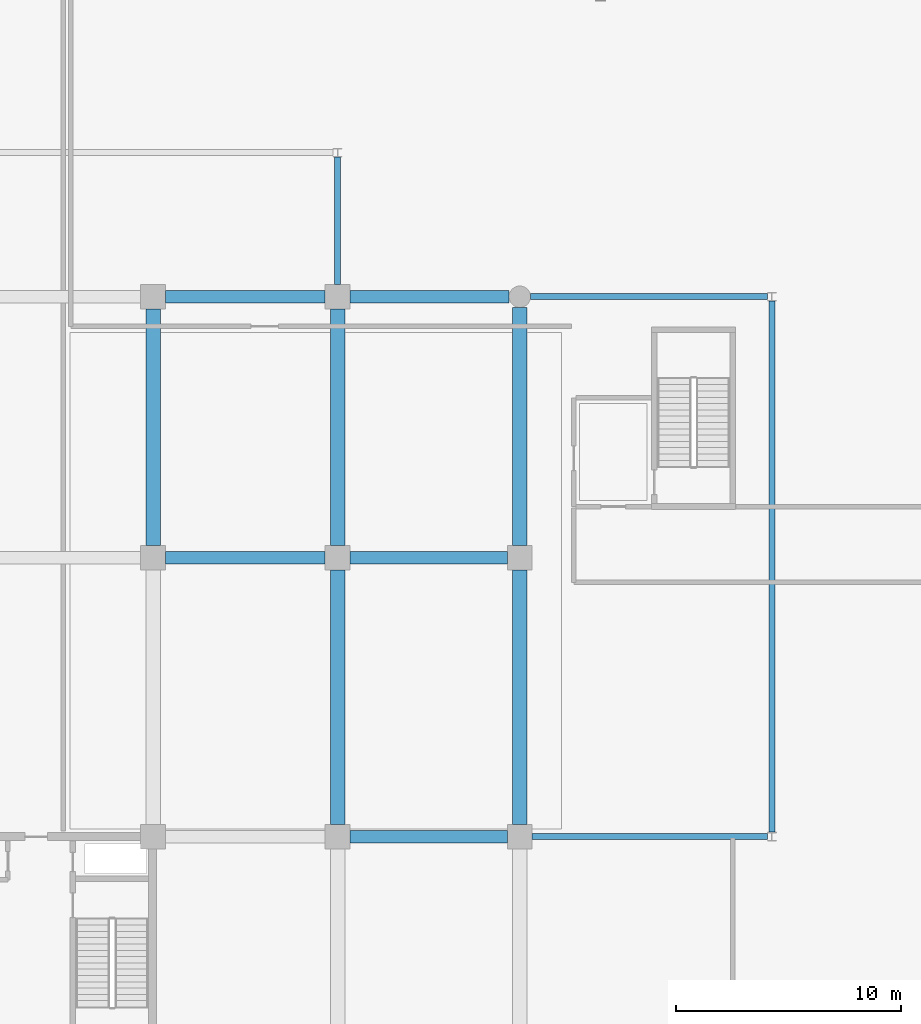
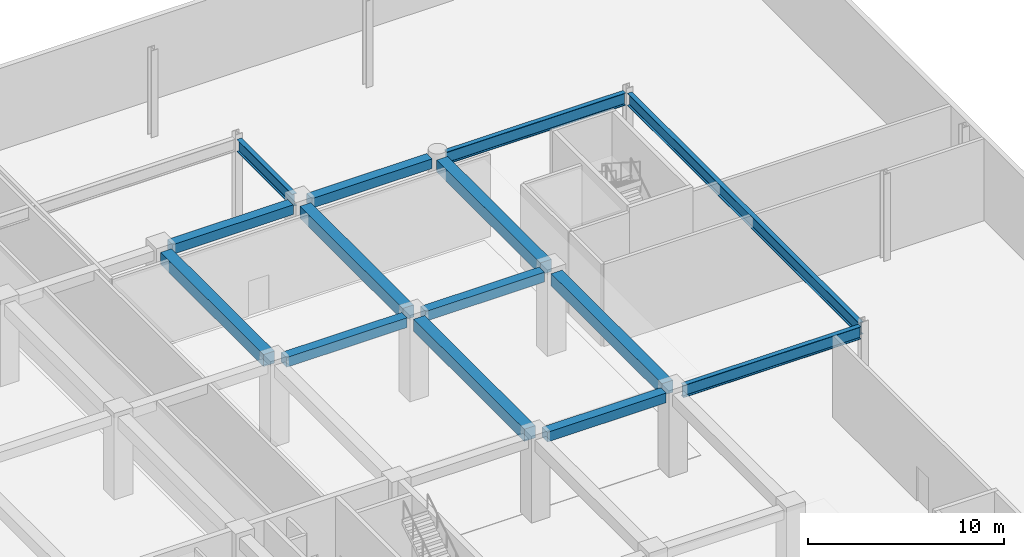
# One storey, part 16 of 46: 14 beams.
"""IFC4 building model written with IfcOpenShell, lengths in metres."""

from ifc_helpers import new_model, si_unit, direction, frame, origin, origin_2d, place, context, subcontext, project, spatial, rectangle, i_section, extrude, material, material_profile, profile_set, type_object, element, save


model = new_model("IFC4")

# Units and contexts
model_context = context("Model", 3, precision=1e-05, world=origin(), true_north=direction((0.0, 1.0)))
body_context = subcontext(model_context, "Body", "Model", "MODEL_VIEW")
ifc_project = project(units=[si_unit("LENGTHUNIT", "METRE"), si_unit("AREAUNIT", "SQUARE_METRE"), si_unit("VOLUMEUNIT", "CUBIC_METRE"), si_unit("PLANEANGLEUNIT", "RADIAN"), si_unit("MASSUNIT", "GRAM", prefix="KILO")], contexts=[model_context])

# Site, building, storey
site_placement = place(None, origin())
site = spatial("IfcSite", under=ifc_project, at=site_placement, CompositionType="ELEMENT")
building_placement = place(site_placement, origin())
building = spatial("IfcBuilding", under=site, at=building_placement, Name="Korimba Cascade Residences", CompositionType="ELEMENT")
storey_placement = place(building_placement, origin())
storey = spatial("IfcBuildingStorey", under=building, at=storey_placement, Name="L00", CompositionType="ELEMENT", Elevation=0.0)

# Beams
ifc_material_1 = material(Name="Concrete C50/60", Category="concrete")
ifc_material_profile_1 = material_profile(ifc_material_1, rectangle(XDim=0.550048828125, YDim=0.60009765625, at=origin_2d()), Name="Concrete C50/60")
ifc_profile_set_1 = profile_set([ifc_material_profile_1], Name="Concrete C50/60")
beam_type_1 = type_object("IfcBeamType", Name="BM-RC-B600", PredefinedType="BEAM", material=ifc_profile_set_1)
beam_1_placement = place(storey_placement, frame((120.85009765625, 67.199951171875, 4.800048828125), z_axis=(1.0, 0.0, 0.0), x_axis=(0.0, 1.0, 0.0)))
element("IfcBeam", 1, at=beam_1_placement, inside=storey, type_object=beam_type_1, Name="L00 T1 E-W Girder Y2 Bay 8", PredefinedType="BEAM", context=body_context, shape_type="SweptSolid", body=[
    extrude(rectangle(XDim=0.550048828125, YDim=0.60009765625, at=origin_2d()), origin(), (0.0, 0.0, 1.0), 7.0),
])
beam_2_placement = place(storey_placement, frame((112.64990234375, 79.60009765625, 4.800048828125), z_axis=(1.0, 0.0, 0.0), x_axis=(0.0, 1.0, 0.0)))
element("IfcBeam", 2, at=beam_2_placement, inside=storey, type_object=beam_type_1, Name="L00 T1 E-W Girder Y3 Bay 7", PredefinedType="BEAM", context=body_context, shape_type="SweptSolid", body=[
    extrude(rectangle(XDim=0.550048828125, YDim=0.60009765625, at=origin_2d()), origin(), (0.0, 0.0, 1.0), 7.10009765625),
])
beam_3_placement = place(storey_placement, frame((120.85009765625, 79.60009765625, 4.800048828125), z_axis=(1.0, 0.0, 0.0), x_axis=(0.0, 1.0, 0.0)))
element("IfcBeam", 3, at=beam_3_placement, inside=storey, type_object=beam_type_1, Name="L00 T1 E-W Girder Y3 Bay 8", PredefinedType="BEAM", context=body_context, shape_type="SweptSolid", body=[
    extrude(rectangle(XDim=0.550048828125, YDim=0.60009765625, at=origin_2d()), origin(), (0.0, 0.0, 1.0), 7.0),
])
beam_4_placement = place(storey_placement, frame((112.64990234375, 91.199951171875, 4.800048828125), z_axis=(1.0, 0.0, 0.0), x_axis=(0.0, 1.0, 0.0)))
element("IfcBeam", 4, at=beam_4_placement, inside=storey, type_object=beam_type_1, Name="L00 T1 E-W Girder Y4 Bay 7", PredefinedType="BEAM", context=body_context, shape_type="SweptSolid", body=[
    extrude(rectangle(XDim=0.550048828125, YDim=0.60009765625, at=origin_2d()), origin(), (0.0, 0.0, 1.0), 7.10009765625),
])
beam_5_placement = place(storey_placement, frame((120.85009765625, 91.199951171875, 4.800048828125), z_axis=(1.0, 0.0, 0.0), x_axis=(0.0, 1.0, 0.0)))
element("IfcBeam", 5, at=beam_5_placement, inside=storey, type_object=beam_type_1, Name="L00 T1 E-W Girder Y4 Bay 8", PredefinedType="BEAM", context=body_context, shape_type="SweptSolid", body=[
    extrude(rectangle(XDim=0.550048828125, YDim=0.60009765625, at=origin_2d()), origin(), (0.0, 0.0, 1.0), 7.074951171875),
])
ifc_material_profile_2 = material_profile(ifc_material_1, rectangle(XDim=0.64990234375, YDim=0.75, at=origin_2d()), Name="Concrete C50/60")
ifc_profile_set_2 = profile_set([ifc_material_profile_2], Name="Concrete C50/60")
beam_type_2 = type_object("IfcBeamType", Name="BM-RC-G750", PredefinedType="BEAM", material=ifc_profile_set_2)
beam_6_placement = place(storey_placement, frame((112.10009765625, 80.14990234375, 4.72509765625), z_axis=(0.0, 1.0, 0.0), x_axis=(-1.0, 0.0, 0.0)))
element("IfcBeam", 6, at=beam_6_placement, inside=storey, type_object=beam_type_2, Name="L00 T1 N-S Girder X7 Seg 3", PredefinedType="BEAM", context=body_context, shape_type="SweptSolid", body=[
    extrude(rectangle(XDim=0.64990234375, YDim=0.75, at=origin_2d()), origin(), (0.0, 0.0, 1.0), 10.5),
])
beam_7_placement = place(storey_placement, frame((120.300048828125, 67.75, 4.72509765625), z_axis=(0.0, 1.0, 0.0), x_axis=(-1.0, 0.0, 0.0)))
element("IfcBeam", 7, at=beam_7_placement, inside=storey, type_object=beam_type_2, Name="L00 T1 N-S Girder X8 Seg 2", PredefinedType="BEAM", context=body_context, shape_type="SweptSolid", body=[
    extrude(rectangle(XDim=0.64990234375, YDim=0.75, at=origin_2d()), origin(), (0.0, 0.0, 1.0), 11.300048828125),
])
beam_8_placement = place(storey_placement, frame((120.300048828125, 80.14990234375, 4.72509765625), z_axis=(0.0, 1.0, 0.0), x_axis=(-1.0, 0.0, 0.0)))
element("IfcBeam", 8, at=beam_8_placement, inside=storey, type_object=beam_type_2, Name="L00 T1 N-S Girder X8 Seg 3", PredefinedType="BEAM", context=body_context, shape_type="SweptSolid", body=[
    extrude(rectangle(XDim=0.64990234375, YDim=0.75, at=origin_2d()), origin(), (0.0, 0.0, 1.0), 10.5),
])
beam_9_placement = place(storey_placement, frame((128.39990234375, 67.75, 4.72509765625), z_axis=(0.0, 1.0, 0.0), x_axis=(-1.0, 0.0, 0.0)))
element("IfcBeam", 9, at=beam_9_placement, inside=storey, type_object=beam_type_2, Name="L00 T1 N-S Girder X9 Seg 2", PredefinedType="BEAM", context=body_context, shape_type="SweptSolid", body=[
    extrude(rectangle(XDim=0.64990234375, YDim=0.75, at=origin_2d()), origin(), (0.0, 0.0, 1.0), 11.300048828125),
])
beam_10_placement = place(storey_placement, frame((128.39990234375, 80.14990234375, 4.72509765625), z_axis=(0.0, 1.0, 0.0), x_axis=(-1.0, 0.0, 0.0)))
element("IfcBeam", 10, at=beam_10_placement, inside=storey, type_object=beam_type_2, Name="L00 T1 N-S Girder X9 Seg 3", PredefinedType="BEAM", context=body_context, shape_type="SweptSolid", body=[
    extrude(rectangle(XDim=0.64990234375, YDim=0.75, at=origin_2d()), origin(), (0.0, 0.0, 1.0), 10.5751953125),
])
ifc_material_2 = material(Name="Steel S355", Category="steel")
ifc_material_profile_3 = material_profile(ifc_material_2, i_section(OverallWidth=0.26806640625, OverallDepth=0.769775390625, WebThickness=0.015625, FlangeThickness=0.025390625, FilletRadius=0.0166015625, at=origin_2d()), Name="Steel S355")
ifc_profile_set_3 = profile_set([ifc_material_profile_3], Name="Steel S355")
beam_type_3 = type_object("IfcBeamType", Name="BM-STL-UB762", PredefinedType="BEAM", material=ifc_profile_set_3)
beam_11_placement = place(storey_placement, frame((128.949951171875, 67.199951171875, 4.715087890625), z_axis=(1.0, 0.0, 0.0), x_axis=(0.0, 1.0, 0.0)))
element("IfcBeam", 11, at=beam_11_placement, inside=storey, type_object=beam_type_3, Name="L00 Podium Frame Girder E3", PredefinedType="BEAM", context=body_context, shape_type="SweptSolid", body=[
    extrude(i_section(OverallWidth=0.26806640625, OverallDepth=0.769775390625, WebThickness=0.015625, FlangeThickness=0.025390625, FilletRadius=0.0166015625, at=origin_2d()), origin(), (0.0, 0.0, 1.0), 10.450439453125),
])
beam_12_placement = place(storey_placement, frame((128.875, 91.199951171875, 4.715087890625), z_axis=(1.0, 0.0, 0.0), x_axis=(0.0, 1.0, 0.0)))
element("IfcBeam", 12, at=beam_12_placement, inside=storey, type_object=beam_type_3, Name="L00 Podium Frame Girder E4", PredefinedType="BEAM", context=body_context, shape_type="SweptSolid", body=[
    extrude(i_section(OverallWidth=0.26806640625, OverallDepth=0.769775390625, WebThickness=0.015625, FlangeThickness=0.025390625, FilletRadius=0.0166015625, at=origin_2d()), origin(), (0.0, 0.0, 1.0), 10.525390625),
])
beam_13_placement = place(storey_placement, frame((139.60009765625, 67.396728515625, 4.715087890625), z_axis=(0.0, 1.0, 0.0), x_axis=(-1.0, 0.0, 0.0)))
element("IfcBeam", 13, at=beam_13_placement, inside=storey, type_object=beam_type_3, Name="L00 Podium Frame Girder ES", PredefinedType="BEAM", context=body_context, shape_type="SweptSolid", body=[
    extrude(i_section(OverallWidth=0.26806640625, OverallDepth=0.769775390625, WebThickness=0.015625, FlangeThickness=0.025390625, FilletRadius=0.0166015625, at=origin_2d()), origin(), (0.0, 0.0, 1.0), 23.6064453125),
])
beam_14_placement = place(storey_placement, frame((120.300048828125, 91.75, 4.715087890625), z_axis=(0.0, 1.0, 0.0), x_axis=(-1.0, 0.0, 0.0)))
element("IfcBeam", 14, at=beam_14_placement, inside=storey, type_object=beam_type_3, Name="L00 Podium Frame Girder N3", PredefinedType="BEAM", context=body_context, shape_type="SweptSolid", body=[
    extrude(i_section(OverallWidth=0.26806640625, OverallDepth=0.769775390625, WebThickness=0.015625, FlangeThickness=0.025390625, FilletRadius=0.0166015625, at=origin_2d()), origin(), (0.0, 0.0, 1.0), 5.6533203125),
])

save(model, "model.ifc")
